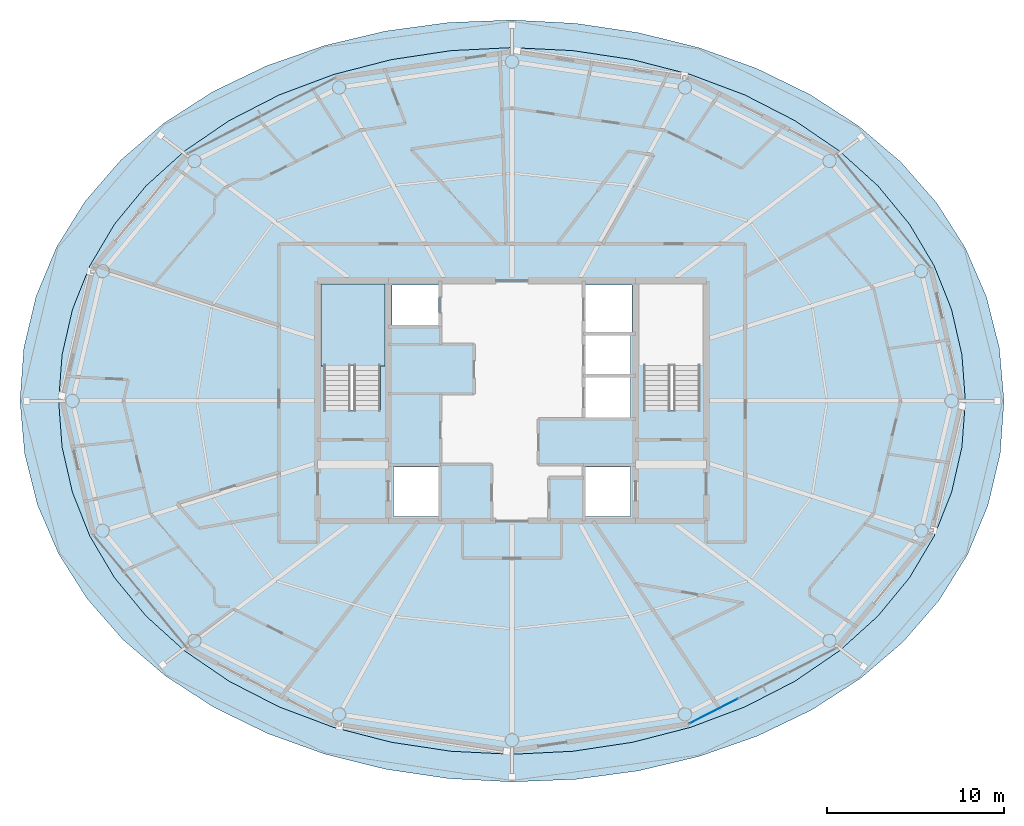
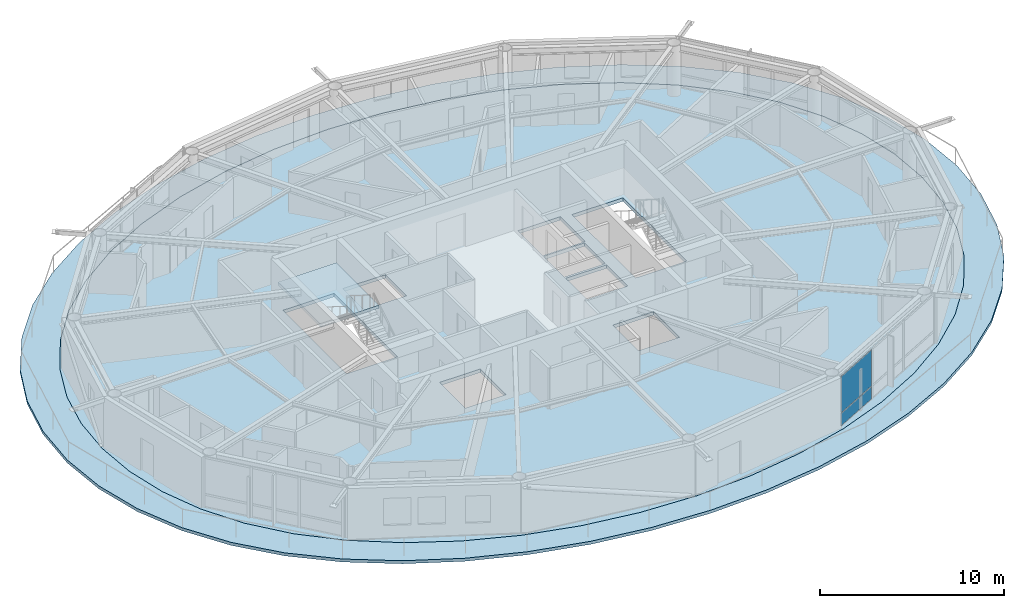
# One storey, part 13 of 22: 3 slabs, 2 plates, 2 elements without a shape of their own.
"""IFC4 building model written with IfcOpenShell, lengths in metres."""

from ifc_helpers import new_model, si_unit, direction, frame, origin, origin_2d, place, context, subcontext, project, spatial, polyline, rectangle, outline, extrude, material, layer, layer_set, type_object, element, aggregate, save


model = new_model("IFC4")

# Units and contexts
model_context = context("Model", 3, precision=1e-05, world=origin(), true_north=direction((0.0, 1.0)))
body_context = subcontext(model_context, "Body", "Model", "MODEL_VIEW")
ifc_project = project(units=[si_unit("LENGTHUNIT", "METRE"), si_unit("AREAUNIT", "SQUARE_METRE"), si_unit("VOLUMEUNIT", "CUBIC_METRE"), si_unit("PLANEANGLEUNIT", "RADIAN"), si_unit("MASSUNIT", "GRAM", prefix="KILO")], contexts=[model_context])

# Site, building, storey
site_placement = place(None, origin())
site = spatial("IfcSite", under=ifc_project, at=site_placement, CompositionType="ELEMENT")
building_placement = place(site_placement, origin())
building = spatial("IfcBuilding", under=site, at=building_placement, Name="Sarneth Arch Tower", CompositionType="ELEMENT")
storey_placement = place(building_placement, frame((0.0, 0.0, 283.800048828125)))
storey = spatial("IfcBuildingStorey", under=building, at=storey_placement, Name="L73", CompositionType="ELEMENT", Elevation=283.800048828125)

# Curtain wall, plates
ifc_material_1 = material(Name="Anodised aluminium Type AA25 and solar-control low-e laminated IGU", Category="aluminium")
ifc_layer_1 = layer(ifc_material_1, 0.179931640625)
ifc_layer_set_1 = layer_set([ifc_layer_1], Name="Anodised aluminium Type AA25 and solar-control low-e laminated IGU")
curtain_wall_type = type_object("IfcCurtainWallType", Name="CW-RES-HIGH", PredefinedType="NOTDEFINED", material=ifc_layer_set_1)
curtain_wall_placement = place(storey_placement, origin())
curtain_wall = element("IfcCurtainWall", 1, at=curtain_wall_placement, inside=storey, type_object=curtain_wall_type, Name="L73 Unitised curtain wall facet 14", PredefinedType="NOTDEFINED")
ifc_material_2 = material(Name="Solar-control low-e laminated IGU", Category="glass")
ifc_layer_2 = layer(ifc_material_2, 0.028076171875)
ifc_layer_set_2 = layer_set([ifc_layer_2], Name="Solar-control low-e laminated IGU")
plate_type = type_object("IfcPlateType", Name="CW-PANEL", PredefinedType="CURTAIN_PANEL", material=ifc_layer_set_2)
plate_1_placement = place(storey_placement, frame((59.4208984375, 24.447021484375, 0.059814453125), z_axis=(0.0, 0.0, 1.0), x_axis=(0.890009540525, 0.455941901753, 0.0)))
plate_1 = element("IfcPlate", 2, at=plate_1_placement, type_object=plate_type, Name="Curtain wall glazed vision pane CW-L73-F14/P00-00", PredefinedType="CURTAIN_PANEL", context=body_context, shape_type="SweptSolid", body=[
    extrude(rectangle(XDim=3.044677734375, YDim=0.028076171875, at=origin_2d()), origin(), (0.0, 0.0, 1.0), 0.81005859375),
])
plate_2_placement = place(storey_placement, frame((59.4208984375, 24.447021484375, 0.929931640625), z_axis=(0.0, 0.0, 1.0), x_axis=(0.890009540525, 0.455941901753, 0.0)))
plate_2 = element("IfcPlate", 3, at=plate_2_placement, type_object=plate_type, Name="Curtain wall glazed vision pane CW-L73-F14/P00-01", PredefinedType="CURTAIN_PANEL", context=body_context, shape_type="SweptSolid", body=[
    extrude(rectangle(XDim=3.044677734375, YDim=0.028076171875, at=origin_2d()), origin(), (0.0, 0.0, 1.0), 2.3798828125),
])
aggregate(curtain_wall, [plate_1, plate_2])

# Slab
ifc_material_3 = material(Name="Concrete C50/60", Category="concrete")
ifc_layer_3 = layer(ifc_material_3, 0.199951171875)
ifc_layer_set_3 = layer_set([ifc_layer_3], Name="Concrete C50/60")
slab_type_1 = type_object("IfcSlabType", Name="SLAB-BALC-200", PredefinedType="FLOOR", material=ifc_layer_set_3)
slab_1_placement = place(storey_placement, frame((0.0, 0.0, -0.199951171875)))
element("IfcSlab", 4, at=slab_1_placement, inside=storey, type_object=slab_type_1, Name="L73 Helical balcony band slab", PredefinedType="FLOOR", context=body_context, shape_type="SweptSolid", body=[
    extrude(outline(polyline([(75.84814453125, 42.0), (75.586181640625, 44.9892578125), (74.853759765625, 47.892333984375), (73.667724609375, 50.644287109375), (72.047607421875, 53.196044921875), (70.01806640625, 55.5126953125), (67.6103515625, 57.56884765625), (64.865234375, 59.3447265625), (61.833740234375, 60.82470703125), (58.57275390625, 61.995361328125), (55.14208984375, 62.846923828125), (51.599609375, 63.371337890625), (48.0, 63.5625), (44.395751953125, 63.41748046875), (40.840087890625, 62.934814453125), (37.389404296875, 62.1162109375), (34.104248046875, 60.966796875), (31.048095703125, 59.49462890625), (28.281982421875, 57.712158203125), (25.861083984375, 55.63671875), (23.82958984375, 53.291015625), (22.2216796875, 50.7060546875), (21.06201171875, 47.9228515625), (20.368408203125, 44.997314453125), (20.15185546875, 42.0), (20.413818359375, 39.0107421875), (21.146240234375, 36.107666015625), (22.332275390625, 33.355712890625), (23.952392578125, 30.803955078125), (25.98193359375, 28.4873046875), (28.3896484375, 26.43115234375), (31.134765625, 24.6552734375), (34.166259765625, 23.17529296875), (37.42724609375, 22.004638671875), (40.85791015625, 21.153076171875), (44.400390625, 20.628662109375), (48.0, 20.4375), (51.604248046875, 20.58251953125), (55.159912109375, 21.065185546875), (58.610595703125, 21.8837890625), (61.895751953125, 23.033203125), (64.951904296875, 24.50537109375), (67.718017578125, 26.287841796875), (70.138916015625, 28.36328125), (72.17041015625, 30.708984375), (73.7783203125, 33.2939453125), (74.93798828125, 36.0771484375), (75.631591796875, 39.002685546875), (75.84814453125, 42.0)]), holes=[polyline([(73.660888671875, 42.0), (73.466064453125, 44.610595703125), (72.87890625, 47.17626953125), (71.892822265625, 49.653564453125), (70.5029296875, 52.0), (68.712158203125, 54.17529296875), (66.536865234375, 56.14208984375), (64.009521484375, 57.8671875), (61.177001953125, 59.320556640625), (58.0966796875, 60.4775390625), (54.83203125, 61.318603515625), (51.44580078125, 61.828857421875), (48.0, 62.0), (44.55419921875, 61.828857421875), (41.16796875, 61.318603515625), (37.9033203125, 60.4775390625), (34.822998046875, 59.320556640625), (31.990478515625, 57.8671875), (29.463134765625, 56.14208984375), (27.287841796875, 54.17529296875), (25.4970703125, 52.0), (24.107177734375, 49.653564453125), (23.12109375, 47.17626953125), (22.533935546875, 44.610595703125), (22.339111328125, 42.0), (22.533935546875, 39.389404296875), (23.12109375, 36.82373046875), (24.107177734375, 34.346435546875), (25.4970703125, 32.0), (27.287841796875, 29.82470703125), (29.463134765625, 27.85791015625), (31.990478515625, 26.1328125), (34.822998046875, 24.679443359375), (37.9033203125, 23.5224609375), (41.16796875, 22.681396484375), (44.55419921875, 22.171142578125), (48.0, 22.0), (51.44580078125, 22.171142578125), (54.83203125, 22.681396484375), (58.0966796875, 23.5224609375), (61.177001953125, 24.679443359375), (64.009521484375, 26.1328125), (66.536865234375, 27.85791015625), (68.712158203125, 29.82470703125), (70.5029296875, 32.0), (71.892822265625, 34.346435546875), (72.87890625, 36.82373046875), (73.466064453125, 39.389404296875), (73.660888671875, 42.0)])]), origin(), (0.0, 0.0, 1.0), 0.199951171875),
])

# Stair, slab
ifc_material_4 = material(Name="Concrete C50/60", Category="concrete")
stair_type = type_object("IfcStairType", Name="STAIR-CORE-RC", PredefinedType="HALF_TURN_STAIR", material=ifc_material_4)
stair_placement = place(storey_placement, origin())
stair = element("IfcStair", 5, at=stair_placement, inside=storey, type_object=stair_type, Name="L73 Core Exit Stair 1", PredefinedType="HALF_TURN_STAIR")
ifc_material_5 = material(Name="Concrete C50/60", Category="concrete")
ifc_layer_4 = layer(ifc_material_5, 0.199951171875)
ifc_layer_set_4 = layer_set([ifc_layer_4], Name="Concrete C50/60")
slab_type_2 = type_object("IfcSlabType", Name="SLAB-LANDING-200", PredefinedType="LANDING", material=ifc_layer_set_4)
slab_2_placement = place(storey_placement, frame((0.0, 0.0, 1.599853515625)))
slab_2 = element("IfcSlab", 6, at=slab_2_placement, type_object=slab_type_2, Name="ST-1 landing 1", PredefinedType="LANDING", context=body_context, shape_type="SweptSolid", body=[
    extrude(outline(polyline([(37.175048828125, 43.985107421875), (40.824951171875, 43.985107421875), (40.824951171875, 48.625), (37.175048828125, 48.625), (37.175048828125, 43.985107421875)])), origin(), (0.0, 0.0, 1.0), 0.2001953125),
])
aggregate(stair, [slab_2])

# Slab
ifc_material_6 = material(Name="Concrete C50/60", Category="concrete")
ifc_layer_5 = layer(ifc_material_6, 0.22998046875)
ifc_layer_set_5 = layer_set([ifc_layer_5], Name="Concrete C50/60")
slab_type_3 = type_object("IfcSlabType", Name="SLAB-TOWER-230", PredefinedType="FLOOR", material=ifc_layer_set_5)
slab_3_placement = place(storey_placement, frame((0.0, 0.0, -0.22998046875)))
element("IfcSlab", 7, at=slab_3_placement, inside=storey, type_object=slab_type_3, Name="L73 Elliptical floor slab", PredefinedType="FLOOR", context=body_context, shape_type="SweptSolid", body=[
    extrude(outline(polyline([(73.660888671875, 42.0), (73.466064453125, 44.610595703125), (72.87890625, 47.17626953125), (71.892822265625, 49.653564453125), (70.5029296875, 52.0), (68.712158203125, 54.17529296875), (66.536865234375, 56.14208984375), (64.009521484375, 57.8671875), (61.177001953125, 59.320556640625), (58.0966796875, 60.4775390625), (54.83203125, 61.318603515625), (51.44580078125, 61.828857421875), (48.0, 62.0), (44.55419921875, 61.828857421875), (41.16796875, 61.318603515625), (37.9033203125, 60.4775390625), (34.822998046875, 59.320556640625), (31.990478515625, 57.8671875), (29.463134765625, 56.14208984375), (27.287841796875, 54.17529296875), (25.4970703125, 52.0), (24.107177734375, 49.653564453125), (23.12109375, 47.17626953125), (22.533935546875, 44.610595703125), (22.339111328125, 42.0), (22.533935546875, 39.389404296875), (23.12109375, 36.82373046875), (24.107177734375, 34.346435546875), (25.4970703125, 32.0), (27.287841796875, 29.82470703125), (29.463134765625, 27.85791015625), (31.990478515625, 26.1328125), (34.822998046875, 24.679443359375), (37.9033203125, 23.5224609375), (41.16796875, 22.681396484375), (44.55419921875, 22.171142578125), (48.0, 22.0), (51.44580078125, 22.171142578125), (54.83203125, 22.681396484375), (58.0966796875, 23.5224609375), (61.177001953125, 24.679443359375), (64.009521484375, 26.1328125), (66.536865234375, 27.85791015625), (68.712158203125, 29.82470703125), (70.5029296875, 32.0), (71.892822265625, 34.346435546875), (72.87890625, 36.82373046875), (73.466064453125, 39.389404296875), (73.660888671875, 42.0)]), holes=[polyline([(37.35009765625, 41.489990234375), (40.550048828125, 41.489990234375), (40.550048828125, 48.39990234375), (37.35009765625, 48.39990234375), (37.35009765625, 41.489990234375)]), polyline([(55.449951171875, 41.489990234375), (58.64990234375, 41.489990234375), (58.64990234375, 48.39990234375), (55.449951171875, 48.39990234375), (55.449951171875, 41.489990234375)]), polyline([(41.199951171875, 46.25), (43.85009765625, 46.25), (43.85009765625, 48.550048828125), (41.199951171875, 48.550048828125), (41.199951171875, 46.25)]), polyline([(41.300048828125, 35.449951171875), (43.85009765625, 35.449951171875), (43.85009765625, 38.25), (41.300048828125, 38.25), (41.300048828125, 35.449951171875)]), polyline([(52.14990234375, 35.449951171875), (54.699951171875, 35.449951171875), (54.699951171875, 38.25), (52.14990234375, 38.25), (52.14990234375, 35.449951171875)]), polyline([(52.14990234375, 45.85009765625), (54.800048828125, 45.85009765625), (54.800048828125, 48.550048828125), (52.14990234375, 48.550048828125), (52.14990234375, 45.85009765625)]), polyline([(52.14990234375, 41.050048828125), (54.699951171875, 41.050048828125), (54.699951171875, 43.35009765625), (52.14990234375, 43.35009765625), (52.14990234375, 41.050048828125)]), polyline([(52.14990234375, 43.5), (54.699951171875, 43.5), (54.699951171875, 45.75), (52.14990234375, 45.75), (52.14990234375, 43.5)])]), origin(), (0.0, 0.0, 1.0), 0.22998046875),
])

save(model, "model.ifc")
